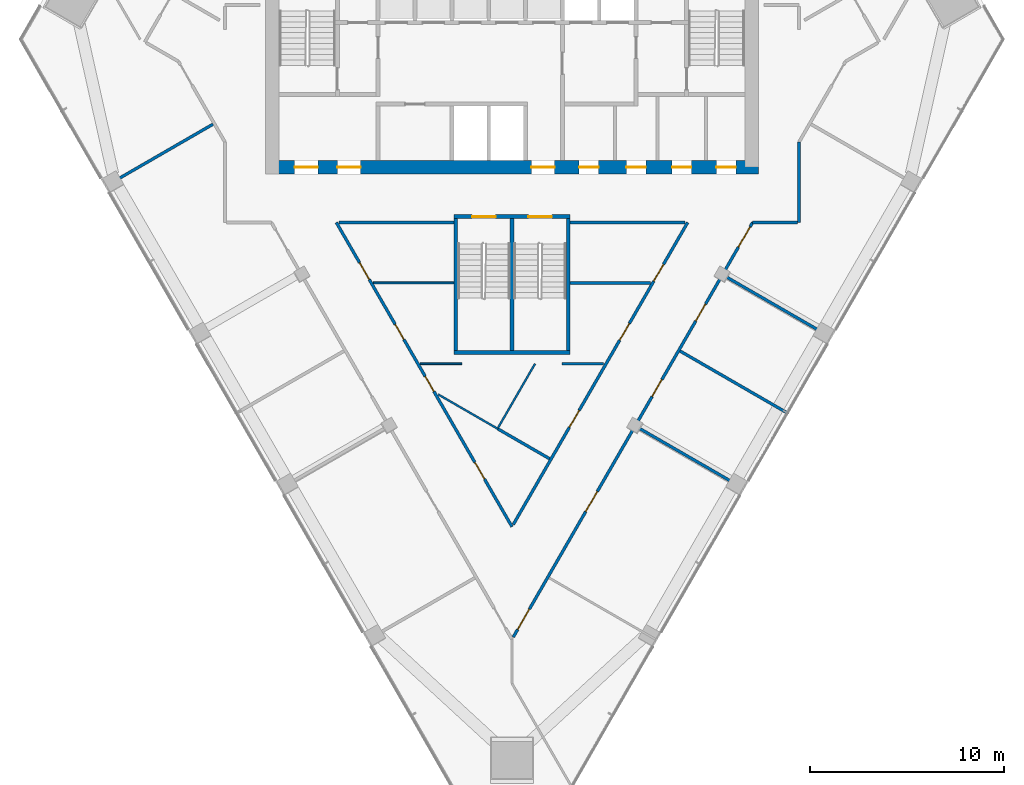
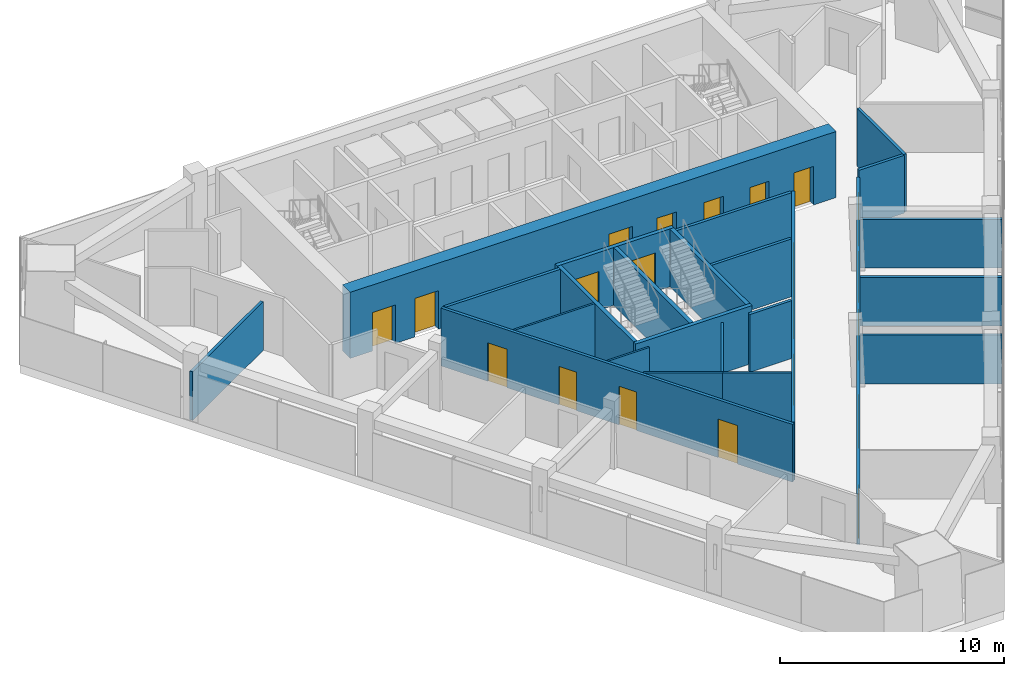
# One storey, part 8 of 12: 24 walls, 21 doors, 21 openings.
"""IFC4 building model written with IfcOpenShell, lengths in metres."""

from ifc_helpers import new_model, si_unit, direction, frame, frame_2d, origin, place, context, subcontext, project, spatial, rectangle, extrude, material, layer, layer_set, type_object, element, fill, save


model = new_model("IFC4")

# Units and contexts
model_context = context("Model", 3, precision=1e-05, world=origin(), true_north=direction((0.0, 1.0)))
body_context = subcontext(model_context, "Body", "Model", "MODEL_VIEW")
ifc_project = project(units=[si_unit("LENGTHUNIT", "METRE"), si_unit("AREAUNIT", "SQUARE_METRE"), si_unit("VOLUMEUNIT", "CUBIC_METRE"), si_unit("PLANEANGLEUNIT", "RADIAN"), si_unit("MASSUNIT", "GRAM", prefix="KILO")], contexts=[model_context])

# Site, building, storey
site_placement = place(None, origin())
site = spatial("IfcSite", under=ifc_project, at=site_placement, CompositionType="ELEMENT")
building_placement = place(site_placement, origin())
building = spatial("IfcBuilding", under=site, at=building_placement, Name="Altiplano Prism Tower", CompositionType="ELEMENT")
storey_placement = place(building_placement, frame((0.0, 0.0, 205.199951171875)))
storey = spatial("IfcBuildingStorey", under=building, at=storey_placement, Name="L53", CompositionType="ELEMENT", Elevation=205.199951171875)

# Wall, openings, doors
ifc_material_1 = material(Name="Concrete C60/75", Category="concrete")
ifc_layer_1 = layer(ifc_material_1, 0.699951171875)
ifc_layer_set_1 = layer_set([ifc_layer_1], Name="Concrete C60/75")
wall_type_1 = type_object("IfcWallType", Name="Core wall 700", PredefinedType="SHEAR", material=ifc_layer_set_1)
wall_1_placement = place(storey_placement, frame((72.64990234375, 93.050048828125, 0.0), z_axis=(0.0, 0.0, 1.0), x_axis=(1.0, 0.0, 0.0)))
wall_1 = element("IfcWall", 1, at=wall_1_placement, inside=storey, type_object=wall_type_1, Name="Core wall S L53", PredefinedType="SHEAR", context=body_context, shape_type="SweptSolid", body=[
    extrude(rectangle(XDim=25.050048828125, YDim=0.699951171875, at=frame_2d((12.52490234375, 0.0))), origin(), (0.0, 0.0, 1.0), 3.60009765625),
])
opening_1_placement = place(wall_1_placement, frame((1.14990234375, 0.0, 0.0)))
opening_1 = element("IfcOpeningElement", 2, at=opening_1_placement, cuts=wall_1, Name="Opening D3317", PredefinedType="OPENING", context=body_context, shape_type="SweptSolid", body=[
    extrude(rectangle(XDim=1.199951171875, YDim=2.10009765625, at=frame_2d((0.60009765625, 1.050048828125))), frame((0.0, 0.3603515625, 0.0), z_axis=(0.0, -1.0, 0.0), x_axis=(1.0, 0.0, 0.0)), (0.0, 0.0, 1.0), 0.720947265625),
])
opening_2_placement = place(wall_1_placement, frame((3.35009765625, 0.0, 0.0)))
opening_2 = element("IfcOpeningElement", 3, at=opening_2_placement, cuts=wall_1, Name="Opening D3318", PredefinedType="OPENING", context=body_context, shape_type="SweptSolid", body=[
    extrude(rectangle(XDim=1.199951171875, YDim=2.10009765625, at=frame_2d((0.60009765625, 1.050048828125))), frame((0.0, 0.3603515625, 0.0), z_axis=(0.0, -1.0, 0.0), x_axis=(1.0, 0.0, 0.0)), (0.0, 0.0, 1.0), 0.720947265625),
])
opening_3_placement = place(wall_1_placement, frame((13.35009765625, 0.0, 0.0)))
opening_3 = element("IfcOpeningElement", 4, at=opening_3_placement, cuts=wall_1, Name="Opening D3319", PredefinedType="OPENING", context=body_context, shape_type="SweptSolid", body=[
    extrude(rectangle(XDim=1.199951171875, YDim=2.10009765625, at=frame_2d((0.60009765625, 1.050048828125))), frame((0.0, 0.3603515625, 0.0), z_axis=(0.0, -1.0, 0.0), x_axis=(1.0, 0.0, 0.0)), (0.0, 0.0, 1.0), 0.720947265625),
])
opening_4_placement = place(wall_1_placement, frame((15.8125, 0.0, 0.0)))
opening_4 = element("IfcOpeningElement", 5, at=opening_4_placement, cuts=wall_1, Name="Opening D3322", PredefinedType="OPENING", context=body_context, shape_type="SweptSolid", body=[
    extrude(rectangle(XDim=1.0, YDim=2.10009765625, at=frame_2d((0.5, 1.050048828125))), frame((0.0, 0.3603515625, 0.0), z_axis=(0.0, -1.0, 0.0), x_axis=(1.0, 0.0, 0.0)), (0.0, 0.0, 1.0), 0.720947265625),
])
opening_5_placement = place(wall_1_placement, frame((18.25, 0.0, 0.0)))
opening_5 = element("IfcOpeningElement", 6, at=opening_5_placement, cuts=wall_1, Name="Opening D3323", PredefinedType="OPENING", context=body_context, shape_type="SweptSolid", body=[
    extrude(rectangle(XDim=1.0, YDim=2.10009765625, at=frame_2d((0.5, 1.050048828125))), frame((0.0, 0.3603515625, 0.0), z_axis=(0.0, -1.0, 0.0), x_axis=(1.0, 0.0, 0.0)), (0.0, 0.0, 1.0), 0.720947265625),
])
opening_6_placement = place(wall_1_placement, frame((20.60009765625, 0.0, 0.0)))
opening_6 = element("IfcOpeningElement", 7, at=opening_6_placement, cuts=wall_1, Name="Opening D3324", PredefinedType="OPENING", context=body_context, shape_type="SweptSolid", body=[
    extrude(rectangle(XDim=1.0, YDim=2.10009765625, at=frame_2d((0.5, 1.050048828125))), frame((0.0, 0.3603515625, 0.0), z_axis=(0.0, -1.0, 0.0), x_axis=(1.0, 0.0, 0.0)), (0.0, 0.0, 1.0), 0.720947265625),
])
opening_7_placement = place(wall_1_placement, frame((22.887451171875, 0.0, 0.0)))
opening_7 = element("IfcOpeningElement", 8, at=opening_7_placement, cuts=wall_1, Name="Opening D3325", PredefinedType="OPENING", context=body_context, shape_type="SweptSolid", body=[
    extrude(rectangle(XDim=1.0, YDim=2.10009765625, at=frame_2d((0.5, 1.050048828125))), frame((0.0, 0.3603515625, 0.0), z_axis=(0.0, -1.0, 0.0), x_axis=(1.0, 0.0, 0.0)), (0.0, 0.0, 1.0), 0.720947265625),
])
ifc_material_2 = material(Name="Fire-rated steel door", Category="steel")
door_type_1 = type_object("IfcDoorType", Name="Core room door 1000 x 2100", OperationType="NOTDEFINED", PredefinedType="NOTDEFINED", material=ifc_material_2)
door_1_placement = place(opening_4_placement, origin())
door_1 = element("IfcDoor", 9, at=door_1_placement, inside=storey, type_object=door_type_1, Name="Core room door D3322", OperationType="SINGLE_SWING_RIGHT", OverallHeight=2.10009765625, OverallWidth=1.0, PredefinedType="NOTDEFINED", context=body_context, shape_type="SweptSolid", body=[
    extrude(rectangle(XDim=1.0, YDim=2.10009765625, at=frame_2d((0.5, 1.050048828125))), frame((0.0, 0.02490234375, 0.0), z_axis=(0.0, -1.0, 0.0), x_axis=(1.0, 0.0, 0.0)), (0.0, 0.0, 1.0), 0.050048828125),
])
fill(opening_4, door_1)
door_2_placement = place(opening_5_placement, origin())
door_2 = element("IfcDoor", 10, at=door_2_placement, inside=storey, type_object=door_type_1, Name="Core room door D3323", OperationType="SINGLE_SWING_LEFT", OverallHeight=2.10009765625, OverallWidth=1.0, PredefinedType="NOTDEFINED", context=body_context, shape_type="SweptSolid", body=[
    extrude(rectangle(XDim=1.0, YDim=2.10009765625, at=frame_2d((0.5, 1.050048828125))), frame((0.0, 0.02490234375, 0.0), z_axis=(0.0, -1.0, 0.0), x_axis=(1.0, 0.0, 0.0)), (0.0, 0.0, 1.0), 0.050048828125),
])
fill(opening_5, door_2)
door_3_placement = place(opening_6_placement, origin())
door_3 = element("IfcDoor", 11, at=door_3_placement, inside=storey, type_object=door_type_1, Name="Core room door D3324", OperationType="SINGLE_SWING_RIGHT", OverallHeight=2.10009765625, OverallWidth=1.0, PredefinedType="NOTDEFINED", context=body_context, shape_type="SweptSolid", body=[
    extrude(rectangle(XDim=1.0, YDim=2.10009765625, at=frame_2d((0.5, 1.050048828125))), frame((0.0, 0.02490234375, 0.0), z_axis=(0.0, -1.0, 0.0), x_axis=(1.0, 0.0, 0.0)), (0.0, 0.0, 1.0), 0.050048828125),
])
fill(opening_6, door_3)
door_4_placement = place(opening_7_placement, origin())
door_4 = element("IfcDoor", 12, at=door_4_placement, inside=storey, type_object=door_type_1, Name="Core room door D3325", OperationType="SINGLE_SWING_LEFT", OverallHeight=2.10009765625, OverallWidth=1.0, PredefinedType="NOTDEFINED", context=body_context, shape_type="SweptSolid", body=[
    extrude(rectangle(XDim=1.0, YDim=2.10009765625, at=frame_2d((0.5, 1.050048828125))), frame((0.0, 0.02490234375, 0.0), z_axis=(0.0, -1.0, 0.0), x_axis=(1.0, 0.0, 0.0)), (0.0, 0.0, 1.0), 0.050048828125),
])
fill(opening_7, door_4)
door_type_2 = type_object("IfcDoorType", Name="Lobby fire door 1200 x 2100", OperationType="NOTDEFINED", PredefinedType="NOTDEFINED", material=ifc_material_2)
door_5_placement = place(opening_1_placement, origin())
door_5 = element("IfcDoor", 13, at=door_5_placement, inside=storey, type_object=door_type_2, Name="Lobby fire door D3317", OperationType="SINGLE_SWING_RIGHT", OverallHeight=2.10009765625, OverallWidth=1.199951171875, PredefinedType="NOTDEFINED", context=body_context, shape_type="SweptSolid", body=[
    extrude(rectangle(XDim=1.199951171875, YDim=2.10009765625, at=frame_2d((0.60009765625, 1.050048828125))), frame((0.0, 0.02490234375, 0.0), z_axis=(0.0, -1.0, 0.0), x_axis=(1.0, 0.0, 0.0)), (0.0, 0.0, 1.0), 0.050048828125),
])
fill(opening_1, door_5)
door_6_placement = place(opening_2_placement, origin())
door_6 = element("IfcDoor", 14, at=door_6_placement, inside=storey, type_object=door_type_2, Name="Lobby fire door D3318", OperationType="SINGLE_SWING_LEFT", OverallHeight=2.10009765625, OverallWidth=1.199951171875, PredefinedType="NOTDEFINED", context=body_context, shape_type="SweptSolid", body=[
    extrude(rectangle(XDim=1.199951171875, YDim=2.10009765625, at=frame_2d((0.60009765625, 1.050048828125))), frame((0.0, 0.02490234375, 0.0), z_axis=(0.0, -1.0, 0.0), x_axis=(1.0, 0.0, 0.0)), (0.0, 0.0, 1.0), 0.050048828125),
])
fill(opening_2, door_6)
door_7_placement = place(opening_3_placement, origin())
door_7 = element("IfcDoor", 15, at=door_7_placement, inside=storey, type_object=door_type_2, Name="Lobby fire door D3319", OperationType="SINGLE_SWING_RIGHT", OverallHeight=2.10009765625, OverallWidth=1.199951171875, PredefinedType="NOTDEFINED", context=body_context, shape_type="SweptSolid", body=[
    extrude(rectangle(XDim=1.199951171875, YDim=2.10009765625, at=frame_2d((0.60009765625, 1.050048828125))), frame((0.0, 0.02490234375, 0.0), z_axis=(0.0, -1.0, 0.0), x_axis=(1.0, 0.0, 0.0)), (0.0, 0.0, 1.0), 0.050048828125),
])
fill(opening_3, door_7)

# Walls
ifc_material_3 = material(Name="Plasterboard on steel stud", Category="steel")
ifc_layer_2 = layer(ifc_material_3, 0.10009765625)
ifc_layer_set_2 = layer_set([ifc_layer_2], Name="Plasterboard on steel stud")
wall_type_2 = type_object("IfcWallType", Name="Partition 100 wet", PredefinedType="PARTITIONING", material=ifc_layer_set_2)
wall_2_placement = place(storey_placement, frame((82.4111328125, 82.916748046875, 0.0), z_axis=(0.0, 0.0, 1.0), x_axis=(-0.999999993527, -0.000113778586, 0.0)))
element("IfcWall", 16, at=wall_2_placement, inside=storey, type_object=wall_type_2, Name="Partition P03 L53 023", PredefinedType="PARTITIONING", context=body_context, shape_type="SweptSolid", body=[
    extrude(rectangle(XDim=2.145751953125, YDim=0.10009765625, at=frame_2d((1.07275390625, 0.0))), origin(), (0.0, 0.0, 1.0), 3.150146484375),
])
wall_3_placement = place(storey_placement, frame((81.20166015625, 81.33154296875, 0.0), z_axis=(0.0, 0.0, 1.0), x_axis=(0.866018157372, -0.500012550944, 0.0)))
element("IfcWall", 17, at=wall_3_placement, inside=storey, type_object=wall_type_2, Name="Partition P03 L53 024", PredefinedType="PARTITIONING", context=body_context, shape_type="SweptSolid", body=[
    extrude(rectangle(XDim=3.54541015625, YDim=0.10009765625, at=frame_2d((1.772705078125, 0.0))), origin(), (0.0, 0.0, 1.0), 3.150146484375),
])
wall_4_placement = place(storey_placement, frame((84.254638671875, 79.56884765625, 0.0), z_axis=(0.0, 0.0, 1.0), x_axis=(0.500017673355, 0.866015199828, 0.0)))
element("IfcWall", 18, at=wall_4_placement, inside=storey, type_object=wall_type_2, Name="Partition P03 L53 025", PredefinedType="PARTITIONING", context=body_context, shape_type="SweptSolid", body=[
    extrude(rectangle(XDim=3.865478515625, YDim=0.10009765625, at=frame_2d((1.9326171875, 0.0))), origin(), (0.0, 0.0, 1.0), 3.150146484375),
])
wall_5_placement = place(storey_placement, frame((82.0, 87.08447265625, 0.0), z_axis=(0.0, 0.0, 1.0), x_axis=(-1.0, 0.0, 0.0)))
element("IfcWall", 19, at=wall_5_placement, inside=storey, type_object=wall_type_2, Name="Partition P03 L53 026", PredefinedType="PARTITIONING", context=body_context, shape_type="SweptSolid", body=[
    extrude(rectangle(XDim=4.140869140625, YDim=0.10009765625, at=frame_2d((2.0703125, 0.0))), origin(), (0.0, 0.0, 1.0), 3.150146484375),
])

# Wall, openings, doors
ifc_layer_3 = layer(ifc_material_3, 0.14990234375)
ifc_layer_set_3 = layer_set([ifc_layer_3], Name="Plasterboard on steel stud")
wall_type_3 = type_object("IfcWallType", Name="Partition 150 corridor", PredefinedType="PARTITIONING", material=ifc_layer_set_3)
wall_6_placement = place(storey_placement, frame((85.0, 74.51611328125, 0.0), z_axis=(0.0, 0.0, 1.0), x_axis=(-0.500004462392, 0.866022827406, 0.0)))
wall_6 = element("IfcWall", 20, at=wall_6_placement, inside=storey, type_object=wall_type_3, Name="Partition P06 L53 001", PredefinedType="PARTITIONING", context=body_context, shape_type="SweptSolid", body=[
    extrude(rectangle(XDim=18.110107421875, YDim=0.14990234375, at=frame_2d((9.05517578125, 0.0))), origin(), (0.0, 0.0, 1.0), 3.150146484375),
])
opening_8_placement = place(wall_6_placement, frame((8.052978515625, 0.0, 0.0)))
opening_8 = element("IfcOpeningElement", 21, at=opening_8_placement, cuts=wall_6, Name="Opening D1829", PredefinedType="OPENING", context=body_context, shape_type="SweptSolid", body=[
    extrude(rectangle(XDim=0.89990234375, YDim=2.10009765625, at=frame_2d((0.449951171875, 1.050048828125))), frame((0.0, 0.08544921875, 0.0), z_axis=(0.0, -1.0, 0.0), x_axis=(1.0, 0.0, 0.0)), (0.0, 0.0, 1.0), 0.1708984375),
])
opening_9_placement = place(wall_6_placement, frame((11.14794921875, 0.0, 0.0)))
opening_9 = element("IfcOpeningElement", 22, at=opening_9_placement, cuts=wall_6, Name="Opening D1830", PredefinedType="OPENING", context=body_context, shape_type="SweptSolid", body=[
    extrude(rectangle(XDim=0.89990234375, YDim=2.10009765625, at=frame_2d((0.449951171875, 1.050048828125))), frame((0.0, 0.08544921875, 0.0), z_axis=(0.0, -1.0, 0.0), x_axis=(1.0, 0.0, 0.0)), (0.0, 0.0, 1.0), 0.1708984375),
])
opening_10_placement = place(wall_6_placement, frame((2.8359375, 0.0, 0.0)))
opening_10 = element("IfcOpeningElement", 23, at=opening_10_placement, cuts=wall_6, Name="Opening D1831", PredefinedType="OPENING", context=body_context, shape_type="SweptSolid", body=[
    extrude(rectangle(XDim=1.0, YDim=2.10009765625, at=frame_2d((0.5, 1.050048828125))), frame((0.0, 0.08544921875, 0.0), z_axis=(0.0, -1.0, 0.0), x_axis=(1.0, 0.0, 0.0)), (0.0, 0.0, 1.0), 0.1708984375),
])
opening_11_placement = place(wall_6_placement, frame((14.714111328125, 0.0, 0.0)))
opening_11 = element("IfcOpeningElement", 24, at=opening_11_placement, cuts=wall_6, Name="Opening D1847", PredefinedType="OPENING", context=body_context, shape_type="SweptSolid", body=[
    extrude(rectangle(XDim=1.0, YDim=2.10009765625, at=frame_2d((0.5, 1.050048828125))), frame((0.0, 0.08544921875, 0.0), z_axis=(0.0, -1.0, 0.0), x_axis=(1.0, 0.0, 0.0)), (0.0, 0.0, 1.0), 0.1708984375),
])
ifc_material_4 = material(Name="Timber", Category="wood")
door_type_3 = type_object("IfcDoorType", Name="Store door 1000 x 2100", OperationType="NOTDEFINED", PredefinedType="NOTDEFINED", material=ifc_material_4)
door_8_placement = place(opening_10_placement, origin())
door_8 = element("IfcDoor", 25, at=door_8_placement, inside=storey, type_object=door_type_3, Name="Door D1831", OperationType="SINGLE_SWING_RIGHT", OverallHeight=2.10009765625, OverallWidth=1.0, PredefinedType="NOTDEFINED", context=body_context, shape_type="SweptSolid", body=[
    extrude(rectangle(XDim=1.0, YDim=2.10009765625, at=frame_2d((0.5, 1.050048828125))), frame((0.0, 0.02490234375, 0.0), z_axis=(0.0, -1.0, 0.0), x_axis=(1.0, 0.0, 0.0)), (0.0, 0.0, 1.0), 0.050048828125),
])
fill(opening_10, door_8)
door_9_placement = place(opening_11_placement, origin())
door_9 = element("IfcDoor", 26, at=door_9_placement, inside=storey, type_object=door_type_3, Name="Door D1847", OperationType="SINGLE_SWING_RIGHT", OverallHeight=2.10009765625, OverallWidth=1.0, PredefinedType="NOTDEFINED", context=body_context, shape_type="SweptSolid", body=[
    extrude(rectangle(XDim=1.0, YDim=2.10009765625, at=frame_2d((0.5, 1.050048828125))), frame((0.0, 0.02490234375, 0.0), z_axis=(0.0, -1.0, 0.0), x_axis=(1.0, 0.0, 0.0)), (0.0, 0.0, 1.0), 0.050048828125),
])
fill(opening_11, door_9)
door_type_4 = type_object("IfcDoorType", Name="Toilet door 900 x 2100", OperationType="NOTDEFINED", PredefinedType="NOTDEFINED", material=ifc_material_4)
door_10_placement = place(opening_8_placement, origin())
door_10 = element("IfcDoor", 27, at=door_10_placement, inside=storey, type_object=door_type_4, Name="Door D1829", OperationType="SINGLE_SWING_LEFT", OverallHeight=2.10009765625, OverallWidth=0.89990234375, PredefinedType="NOTDEFINED", context=body_context, shape_type="SweptSolid", body=[
    extrude(rectangle(XDim=0.89990234375, YDim=2.10009765625, at=frame_2d((0.449951171875, 1.050048828125))), frame((0.0, 0.02490234375, 0.0), z_axis=(0.0, -1.0, 0.0), x_axis=(1.0, 0.0, 0.0)), (0.0, 0.0, 1.0), 0.050048828125),
])
fill(opening_8, door_10)
door_11_placement = place(opening_9_placement, origin())
door_11 = element("IfcDoor", 28, at=door_11_placement, inside=storey, type_object=door_type_4, Name="Door D1830", OperationType="SINGLE_SWING_LEFT", OverallHeight=2.10009765625, OverallWidth=0.89990234375, PredefinedType="NOTDEFINED", context=body_context, shape_type="SweptSolid", body=[
    extrude(rectangle(XDim=0.89990234375, YDim=2.10009765625, at=frame_2d((0.449951171875, 1.050048828125))), frame((0.0, 0.02490234375, 0.0), z_axis=(0.0, -1.0, 0.0), x_axis=(1.0, 0.0, 0.0)), (0.0, 0.0, 1.0), 0.050048828125),
])
fill(opening_9, door_11)

wall_7_placement = place(storey_placement, frame((85.06494140625, 68.82861328125, 0.0), z_axis=(0.0, 0.0, 1.0), x_axis=(0.500003631942, 0.866023306872, 0.0)))
wall_7 = element("IfcWall", 29, at=wall_7_placement, inside=storey, type_object=wall_type_3, Name="Partition P06 L53 007", PredefinedType="PARTITIONING", context=body_context, shape_type="SweptSolid", body=[
    extrude(rectangle(XDim=24.677490234375, YDim=0.14990234375, at=frame_2d((12.3388671875, 0.0))), origin(), (0.0, 0.0, 1.0), 2.75),
])
opening_12_placement = place(wall_7_placement, frame((0.4580078125, 0.0, 0.0)))
opening_12 = element("IfcOpeningElement", 30, at=opening_12_placement, cuts=wall_7, Name="Opening D1838", PredefinedType="OPENING", context=body_context, shape_type="SweptSolid", body=[
    extrude(rectangle(XDim=1.199951171875, YDim=2.10009765625, at=frame_2d((0.60009765625, 1.050048828125))), frame((0.0, 0.08544921875, 0.0), z_axis=(0.0, -1.0, 0.0), x_axis=(1.0, 0.0, 0.0)), (0.0, 0.0, 1.0), 0.1708984375),
])
opening_13_placement = place(wall_7_placement, frame((7.466064453125, 0.0, 0.0)))
opening_13 = element("IfcOpeningElement", 31, at=opening_13_placement, cuts=wall_7, Name="Opening D1839", PredefinedType="OPENING", context=body_context, shape_type="SweptSolid", body=[
    extrude(rectangle(XDim=1.199951171875, YDim=2.10009765625, at=frame_2d((0.60009765625, 1.050048828125))), frame((0.0, 0.08544921875, 0.0), z_axis=(0.0, -1.0, 0.0), x_axis=(1.0, 0.0, 0.0)), (0.0, 0.0, 1.0), 0.1708984375),
])
opening_14_placement = place(wall_7_placement, frame((14.31591796875, 0.0, 0.0)))
opening_14 = element("IfcOpeningElement", 32, at=opening_14_placement, cuts=wall_7, Name="Opening D1840", PredefinedType="OPENING", context=body_context, shape_type="SweptSolid", body=[
    extrude(rectangle(XDim=1.0, YDim=2.10009765625, at=frame_2d((0.5, 1.050048828125))), frame((0.0, 0.08544921875, 0.0), z_axis=(0.0, -1.0, 0.0), x_axis=(1.0, 0.0, 0.0)), (0.0, 0.0, 1.0), 0.1708984375),
])
opening_15_placement = place(wall_7_placement, frame((18.81591796875, 0.0, 0.0)))
opening_15 = element("IfcOpeningElement", 33, at=opening_15_placement, cuts=wall_7, Name="Opening D1841", PredefinedType="OPENING", context=body_context, shape_type="SweptSolid", body=[
    extrude(rectangle(XDim=1.0, YDim=2.10009765625, at=frame_2d((0.5, 1.050048828125))), frame((0.0, 0.08544921875, 0.0), z_axis=(0.0, -1.0, 0.0), x_axis=(1.0, 0.0, 0.0)), (0.0, 0.0, 1.0), 0.1708984375),
])
opening_16_placement = place(wall_7_placement, frame((23.208984375, 0.0, 0.0)))
opening_16 = element("IfcOpeningElement", 34, at=opening_16_placement, cuts=wall_7, Name="Opening D1842", PredefinedType="OPENING", context=body_context, shape_type="SweptSolid", body=[
    extrude(rectangle(XDim=1.199951171875, YDim=2.10009765625, at=frame_2d((0.60009765625, 1.050048828125))), frame((0.0, 0.08544921875, 0.0), z_axis=(0.0, -1.0, 0.0), x_axis=(1.0, 0.0, 0.0)), (0.0, 0.0, 1.0), 0.1708984375),
])
door_type_5 = type_object("IfcDoorType", Name="Room door 1000 x 2100", OperationType="NOTDEFINED", PredefinedType="NOTDEFINED", material=ifc_material_4)
door_12_placement = place(opening_14_placement, origin())
door_12 = element("IfcDoor", 35, at=door_12_placement, inside=storey, type_object=door_type_5, Name="Door D1840", OperationType="SINGLE_SWING_LEFT", OverallHeight=2.10009765625, OverallWidth=1.0, PredefinedType="NOTDEFINED", context=body_context, shape_type="SweptSolid", body=[
    extrude(rectangle(XDim=1.0, YDim=2.10009765625, at=frame_2d((0.5, 1.050048828125))), frame((0.0, 0.02490234375, 0.0), z_axis=(0.0, -1.0, 0.0), x_axis=(1.0, 0.0, 0.0)), (0.0, 0.0, 1.0), 0.050048828125),
])
fill(opening_14, door_12)
door_13_placement = place(opening_15_placement, origin())
door_13 = element("IfcDoor", 36, at=door_13_placement, inside=storey, type_object=door_type_5, Name="Door D1841", OperationType="SINGLE_SWING_RIGHT", OverallHeight=2.10009765625, OverallWidth=1.0, PredefinedType="NOTDEFINED", context=body_context, shape_type="SweptSolid", body=[
    extrude(rectangle(XDim=1.0, YDim=2.10009765625, at=frame_2d((0.5, 1.050048828125))), frame((0.0, 0.02490234375, 0.0), z_axis=(0.0, -1.0, 0.0), x_axis=(1.0, 0.0, 0.0)), (0.0, 0.0, 1.0), 0.050048828125),
])
fill(opening_15, door_13)
door_type_6 = type_object("IfcDoorType", Name="Shared room door 1200 x 2100", OperationType="NOTDEFINED", PredefinedType="NOTDEFINED", material=ifc_material_4)
door_14_placement = place(opening_12_placement, origin())
door_14 = element("IfcDoor", 37, at=door_14_placement, inside=storey, type_object=door_type_6, Name="Door D1838", OperationType="SINGLE_SWING_RIGHT", OverallHeight=2.10009765625, OverallWidth=1.199951171875, PredefinedType="NOTDEFINED", context=body_context, shape_type="SweptSolid", body=[
    extrude(rectangle(XDim=1.199951171875, YDim=2.10009765625, at=frame_2d((0.60009765625, 1.050048828125))), frame((0.0, 0.02490234375, 0.0), z_axis=(0.0, -1.0, 0.0), x_axis=(1.0, 0.0, 0.0)), (0.0, 0.0, 1.0), 0.050048828125),
])
fill(opening_12, door_14)
door_15_placement = place(opening_13_placement, origin())
door_15 = element("IfcDoor", 38, at=door_15_placement, inside=storey, type_object=door_type_6, Name="Door D1839", OperationType="SINGLE_SWING_RIGHT", OverallHeight=2.10009765625, OverallWidth=1.199951171875, PredefinedType="NOTDEFINED", context=body_context, shape_type="SweptSolid", body=[
    extrude(rectangle(XDim=1.199951171875, YDim=2.10009765625, at=frame_2d((0.60009765625, 1.050048828125))), frame((0.0, 0.02490234375, 0.0), z_axis=(0.0, -1.0, 0.0), x_axis=(1.0, 0.0, 0.0)), (0.0, 0.0, 1.0), 0.050048828125),
])
fill(opening_13, door_15)
door_16_placement = place(opening_16_placement, origin())
door_16 = element("IfcDoor", 39, at=door_16_placement, inside=storey, type_object=door_type_6, Name="Door D1842", OperationType="SINGLE_SWING_RIGHT", OverallHeight=2.10009765625, OverallWidth=1.199951171875, PredefinedType="NOTDEFINED", context=body_context, shape_type="SweptSolid", body=[
    extrude(rectangle(XDim=1.199951171875, YDim=2.10009765625, at=frame_2d((0.60009765625, 1.050048828125))), frame((0.0, 0.02490234375, 0.0), z_axis=(0.0, -1.0, 0.0), x_axis=(1.0, 0.0, 0.0)), (0.0, 0.0, 1.0), 0.050048828125),
])
fill(opening_16, door_16)

# Walls
wall_8_placement = place(storey_placement, frame((97.40380859375, 90.199951171875, 0.0), z_axis=(0.0, 0.0, 1.0), x_axis=(1.0, 0.0, 0.0)))
element("IfcWall", 40, at=wall_8_placement, inside=storey, type_object=wall_type_3, Name="Partition P06 L53 008", PredefinedType="PARTITIONING", context=body_context, shape_type="SweptSolid", body=[
    extrude(rectangle(XDim=2.3212890625, YDim=0.14990234375, at=frame_2d((1.16064453125, 0.0))), origin(), (0.0, 0.0, 1.0), 3.150146484375),
])
wall_9_placement = place(storey_placement, frame((99.800048828125, 90.199951171875, 0.0), z_axis=(0.0, 0.0, 1.0), x_axis=(0.0, 1.0, 0.0)))
element("IfcWall", 41, at=wall_9_placement, inside=storey, type_object=wall_type_3, Name="Partition P06 L53 009", PredefinedType="PARTITIONING", context=body_context, shape_type="SweptSolid", body=[
    extrude(rectangle(XDim=4.150390625, YDim=0.14990234375, at=frame_2d((2.0751953125, 0.0))), origin(), (0.0, 0.0, 1.0), 3.150146484375),
])
for number, where, z_axis, x_axis, name in (
    (42, (88.0, 90.199951171875, 0.0), (0.0, 0.0, 1.0), (1.0, 0.0, 0.0), "Partition P06 L53 020"),
    (43, (76.07470703125, 90.199951171875, 0.0), (0.0, 0.0, 1.0), (1.0, 0.0, 0.0), "Partition P06 L53 021"),
):
    element("IfcWall", number, at=place(storey_placement, frame(where, z_axis=z_axis, x_axis=x_axis)), inside=storey, type_object=wall_type_3, Name=name, PredefinedType="PARTITIONING", context=body_context, shape_type="SweptSolid", body=[
        extrude(rectangle(XDim=5.92529296875, YDim=0.14990234375, at=frame_2d((2.962646484375, 0.0))), origin(), (0.0, 0.0, 1.0), 3.150146484375),
    ])

# Wall, openings, doors
wall_10_placement = place(storey_placement, frame((94.05517578125, 90.199951171875, 0.0), z_axis=(0.0, 0.0, 1.0), x_axis=(-0.500006108488, -0.866021877019, 0.0)))
wall_10 = element("IfcWall", 44, at=wall_10_placement, inside=storey, type_object=wall_type_3, Name="Partition P06 L53 022", PredefinedType="PARTITIONING", context=body_context, shape_type="SweptSolid", body=[
    extrude(rectangle(XDim=17.980224609375, YDim=0.14990234375, at=frame_2d((8.990234375, 0.0))), origin(), (0.0, 0.0, 1.0), 3.150146484375),
])
opening_17_placement = place(wall_10_placement, frame((6.010009765625, 0.0, 0.0)))
opening_17 = element("IfcOpeningElement", 45, at=opening_17_placement, cuts=wall_10, Name="Opening D1832", PredefinedType="OPENING", context=body_context, shape_type="SweptSolid", body=[
    extrude(rectangle(XDim=1.0, YDim=2.10009765625, at=frame_2d((0.5, 1.050048828125))), frame((0.0, 0.08544921875, 0.0), z_axis=(0.0, -1.0, 0.0), x_axis=(1.0, 0.0, 0.0)), (0.0, 0.0, 1.0), 0.1708984375),
])
opening_18_placement = place(wall_10_placement, frame((2.49609375, 0.0, 0.0)))
opening_18 = element("IfcOpeningElement", 46, at=opening_18_placement, cuts=wall_10, Name="Opening D1846", PredefinedType="OPENING", context=body_context, shape_type="SweptSolid", body=[
    extrude(rectangle(XDim=1.0, YDim=2.10009765625, at=frame_2d((0.5, 1.050048828125))), frame((0.0, 0.08544921875, 0.0), z_axis=(0.0, -1.0, 0.0), x_axis=(1.0, 0.0, 0.0)), (0.0, 0.0, 1.0), 0.1708984375),
])
opening_19_placement = place(wall_10_placement, frame((11.18701171875, 0.0, 0.0)))
opening_19 = element("IfcOpeningElement", 47, at=opening_19_placement, cuts=wall_10, Name="Opening D1848", PredefinedType="OPENING", context=body_context, shape_type="SweptSolid", body=[
    extrude(rectangle(XDim=1.0, YDim=2.10009765625, at=frame_2d((0.5, 1.050048828125))), frame((0.0, 0.08544921875, 0.0), z_axis=(0.0, -1.0, 0.0), x_axis=(1.0, 0.0, 0.0)), (0.0, 0.0, 1.0), 0.1708984375),
])
door_17_placement = place(opening_18_placement, origin())
door_17 = element("IfcDoor", 48, at=door_17_placement, inside=storey, type_object=door_type_5, Name="Door D1846", OperationType="SINGLE_SWING_LEFT", OverallHeight=2.10009765625, OverallWidth=1.0, PredefinedType="NOTDEFINED", context=body_context, shape_type="SweptSolid", body=[
    extrude(rectangle(XDim=1.0, YDim=2.10009765625, at=frame_2d((0.5, 1.050048828125))), frame((0.0, 0.02490234375, 0.0), z_axis=(0.0, -1.0, 0.0), x_axis=(1.0, 0.0, 0.0)), (0.0, 0.0, 1.0), 0.050048828125),
])
fill(opening_18, door_17)
door_18_placement = place(opening_17_placement, origin())
door_18 = element("IfcDoor", 49, at=door_18_placement, inside=storey, type_object=door_type_3, Name="Door D1832", OperationType="SINGLE_SWING_RIGHT", OverallHeight=2.10009765625, OverallWidth=1.0, PredefinedType="NOTDEFINED", context=body_context, shape_type="SweptSolid", body=[
    extrude(rectangle(XDim=1.0, YDim=2.10009765625, at=frame_2d((0.5, 1.050048828125))), frame((0.0, 0.02490234375, 0.0), z_axis=(0.0, -1.0, 0.0), x_axis=(1.0, 0.0, 0.0)), (0.0, 0.0, 1.0), 0.050048828125),
])
fill(opening_17, door_18)
door_19_placement = place(opening_19_placement, origin())
door_19 = element("IfcDoor", 50, at=door_19_placement, inside=storey, type_object=door_type_3, Name="Door D1848", OperationType="SINGLE_SWING_LEFT", OverallHeight=2.10009765625, OverallWidth=1.0, PredefinedType="NOTDEFINED", context=body_context, shape_type="SweptSolid", body=[
    extrude(rectangle(XDim=1.0, YDim=2.10009765625, at=frame_2d((0.5, 1.050048828125))), frame((0.0, 0.02490234375, 0.0), z_axis=(0.0, -1.0, 0.0), x_axis=(1.0, 0.0, 0.0)), (0.0, 0.0, 1.0), 0.050048828125),
])
fill(opening_19, door_19)

# Walls
ifc_layer_4 = layer(ifc_material_3, 0.14990234375)
ifc_layer_set_4 = layer_set([ifc_layer_4], Name="Plasterboard on steel stud")
wall_type_4 = type_object("IfcWallType", Name="Partition 150 party", PredefinedType="PARTITIONING", material=ifc_layer_set_4)
wall_11_placement = place(storey_placement, frame((86.936767578125, 78.0205078125, 0.0), z_axis=(0.0, 0.0, 1.0), x_axis=(-0.866051688794, 0.499954470265, 0.0)))
element("IfcWall", 51, at=wall_11_placement, inside=storey, type_object=wall_type_4, Name="Partition P01 L53 027", PredefinedType="PARTITIONING", context=body_context, shape_type="SweptSolid", body=[
    extrude(rectangle(XDim=3.096923828125, YDim=0.14990234375, at=frame_2d((1.54833984375, 0.0))), origin(), (0.0, 0.0, 1.0), 3.150146484375),
])
wall_12_placement = place(storey_placement, frame((92.12646484375, 87.08447265625, 0.0), z_axis=(0.0, 0.0, 1.0), x_axis=(-1.0, 0.0, 0.0)))
element("IfcWall", 52, at=wall_12_placement, inside=storey, type_object=wall_type_4, Name="Partition P01 L53 028", PredefinedType="PARTITIONING", context=body_context, shape_type="SweptSolid", body=[
    extrude(rectangle(XDim=4.12646484375, YDim=0.14990234375, at=frame_2d((2.063232421875, 0.0))), origin(), (0.0, 0.0, 1.0), 3.150146484375),
])
wall_13_placement = place(storey_placement, frame((87.56884765625, 82.91650390625, 0.0), z_axis=(0.0, 0.0, 1.0), x_axis=(1.0, 0.0, 0.0)))
element("IfcWall", 53, at=wall_13_placement, inside=storey, type_object=wall_type_4, Name="Partition P01 L53 029", PredefinedType="PARTITIONING", context=body_context, shape_type="SweptSolid", body=[
    extrude(rectangle(XDim=2.1513671875, YDim=0.14990234375, at=frame_2d((1.07568359375, 0.0))), origin(), (0.0, 0.0, 1.0), 3.150146484375),
])
for number, where, z_axis, x_axis, name in (
    (54, (64.109619140625, 92.099365234375, 0.0), (0.0, 0.0, 1.0), (0.866015887322, 0.500016482634, 0.0), "Partition P01 L53 030"),
    (55, (96.890380859375, 76.510986328125, 0.0), (0.0, 0.0, 1.0), (-0.866032601554, 0.49998753289, 0.0), "Partition P01 L53 038"),
    (56, (99.140380859375, 80.407958984375, 0.0), (0.0, 0.0, 1.0), (-0.866015887322, 0.500016482634, 0.0), "Partition P01 L53 039"),
    (57, (101.390380859375, 84.30517578125, 0.0), (0.0, 0.0, 1.0), (-0.866032601554, 0.49998753289, 0.0), "Partition P01 L53 040"),
):
    element("IfcWall", number, at=place(storey_placement, frame(where, z_axis=z_axis, x_axis=x_axis)), inside=storey, type_object=wall_type_4, Name=name, PredefinedType="PARTITIONING", context=body_context, shape_type="SweptSolid", body=[
        extrude(rectangle(XDim=6.324951171875, YDim=0.14990234375, at=frame_2d((3.16259765625, 0.0))), origin(), (0.0, 0.0, 1.0), 2.650146484375),
    ])

# Wall, openings, doors
ifc_layer_5 = layer(ifc_material_1, 0.199951171875)
ifc_layer_set_5 = layer_set([ifc_layer_5], Name="Concrete C60/75")
wall_type_5 = type_object("IfcWallType", Name="Stair wall 200", PredefinedType="SOLIDWALL", material=ifc_layer_set_5)
wall_14_placement = place(storey_placement, frame((82.0, 90.5, 0.0), z_axis=(0.0, 0.0, 1.0), x_axis=(1.0, 0.0, 0.0)))
wall_14 = element("IfcWall", 58, at=wall_14_placement, inside=storey, type_object=wall_type_5, Name="Stair 3 wall north L53", PredefinedType="SOLIDWALL", context=body_context, shape_type="SweptSolid", body=[
    extrude(rectangle(XDim=6.0, YDim=0.199951171875, at=frame_2d((3.0, 0.0))), origin(), (0.0, 0.0, 1.0), 3.150146484375),
])
opening_20_placement = place(wall_14_placement, frame((0.949951171875, 0.0, 0.0)))
opening_20 = element("IfcOpeningElement", 59, at=opening_20_placement, cuts=wall_14, Name="Opening D4028", PredefinedType="OPENING", context=body_context, shape_type="SweptSolid", body=[
    extrude(rectangle(XDim=1.199951171875, YDim=2.10009765625, at=frame_2d((0.60009765625, 1.050048828125))), frame((0.0, 0.1103515625, 0.0), z_axis=(0.0, -1.0, 0.0), x_axis=(1.0, 0.0, 0.0)), (0.0, 0.0, 1.0), 0.220947265625),
])
opening_21_placement = place(wall_14_placement, frame((3.85009765625, 0.0, 0.0)))
opening_21 = element("IfcOpeningElement", 60, at=opening_21_placement, cuts=wall_14, Name="Opening D4029", PredefinedType="OPENING", context=body_context, shape_type="SweptSolid", body=[
    extrude(rectangle(XDim=1.199951171875, YDim=2.10009765625, at=frame_2d((0.60009765625, 1.050048828125))), frame((0.0, 0.1103515625, 0.0), z_axis=(0.0, -1.0, 0.0), x_axis=(1.0, 0.0, 0.0)), (0.0, 0.0, 1.0), 0.220947265625),
])
door_type_7 = type_object("IfcDoorType", Name="Stair fire door 1200 x 2100", OperationType="NOTDEFINED", PredefinedType="NOTDEFINED", material=ifc_material_2)
door_20_placement = place(opening_20_placement, origin())
door_20 = element("IfcDoor", 61, at=door_20_placement, inside=storey, type_object=door_type_7, Name="Stair fire door D4028", OperationType="SINGLE_SWING_LEFT", OverallHeight=2.10009765625, OverallWidth=1.199951171875, PredefinedType="NOTDEFINED", context=body_context, shape_type="SweptSolid", body=[
    extrude(rectangle(XDim=1.199951171875, YDim=2.10009765625, at=frame_2d((0.60009765625, 1.050048828125))), frame((0.0, 0.02490234375, 0.0), z_axis=(0.0, -1.0, 0.0), x_axis=(1.0, 0.0, 0.0)), (0.0, 0.0, 1.0), 0.050048828125),
])
fill(opening_20, door_20)
door_21_placement = place(opening_21_placement, origin())
door_21 = element("IfcDoor", 62, at=door_21_placement, inside=storey, type_object=door_type_7, Name="Stair fire door D4029", OperationType="SINGLE_SWING_LEFT", OverallHeight=2.10009765625, OverallWidth=1.199951171875, PredefinedType="NOTDEFINED", context=body_context, shape_type="SweptSolid", body=[
    extrude(rectangle(XDim=1.199951171875, YDim=2.10009765625, at=frame_2d((0.60009765625, 1.050048828125))), frame((0.0, 0.02490234375, 0.0), z_axis=(0.0, -1.0, 0.0), x_axis=(1.0, 0.0, 0.0)), (0.0, 0.0, 1.0), 0.050048828125),
])
fill(opening_21, door_21)

# Walls
wall_15_placement = place(storey_placement, frame((82.0, 83.5, 0.0), z_axis=(0.0, 0.0, 1.0), x_axis=(1.0, 0.0, 0.0)))
element("IfcWall", 63, at=wall_15_placement, inside=storey, type_object=wall_type_5, Name="Stair 3 wall south L53", PredefinedType="SOLIDWALL", context=body_context, shape_type="SweptSolid", body=[
    extrude(rectangle(XDim=6.0, YDim=0.199951171875, at=frame_2d((3.0, 0.0))), origin(), (0.0, 0.0, 1.0), 3.150146484375),
])
for number, where, z_axis, x_axis, name in (
    (64, (82.10009765625, 83.60009765625, 0.0), (0.0, 0.0, 1.0), (0.0, 1.0, 0.0), "Stair 3 wall west L53"),
    (65, (87.89990234375, 83.60009765625, 0.0), (0.0, 0.0, 1.0), (0.0, 1.0, 0.0), "Stair 3 wall east L53"),
    (66, (85.0, 83.60009765625, 0.0), (0.0, 0.0, 1.0), (0.0, 1.0, 0.0), "Stair 3 wall divider L53"),
):
    element("IfcWall", number, at=place(storey_placement, frame(where, z_axis=z_axis, x_axis=x_axis)), inside=storey, type_object=wall_type_5, Name=name, PredefinedType="SOLIDWALL", context=body_context, shape_type="SweptSolid", body=[
        extrude(rectangle(XDim=6.7998046875, YDim=0.199951171875, at=frame_2d((3.39990234375, 0.0))), origin(), (0.0, 0.0, 1.0), 3.150146484375),
    ])

save(model, "model.ifc")
